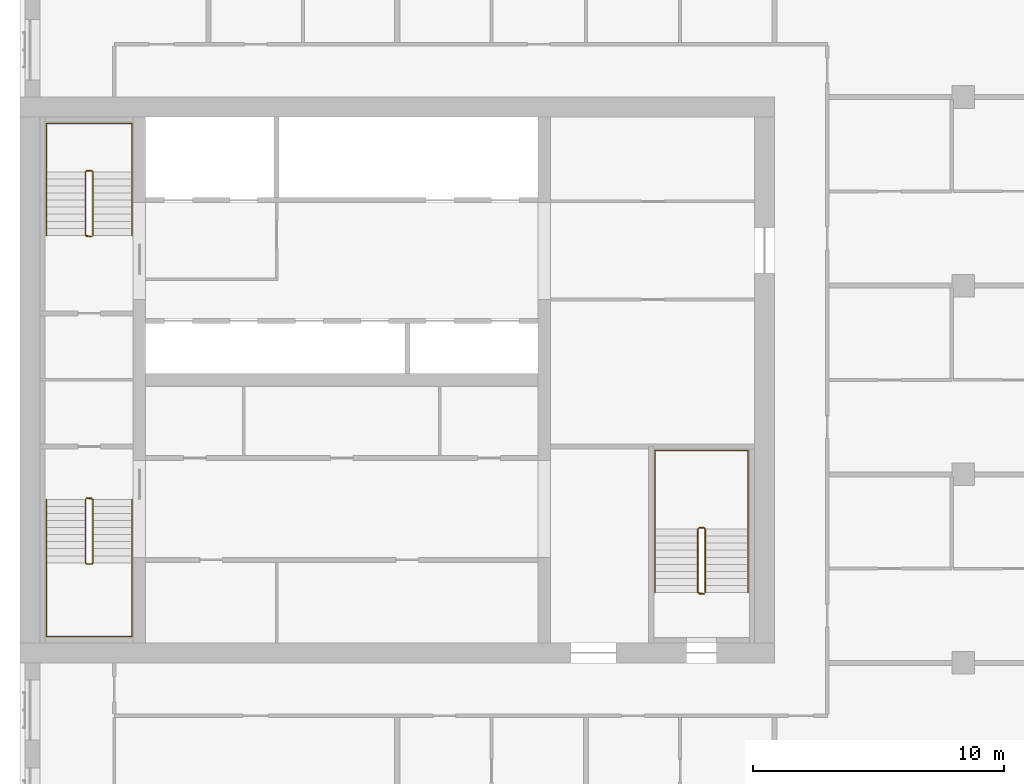
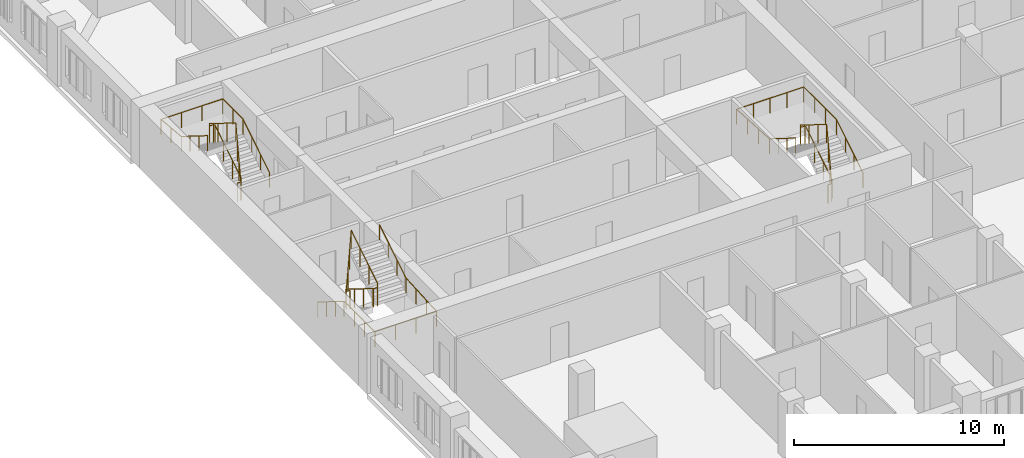
# One storey, part 14 of 14: 6 railings.
"""IFC4 building model written with IfcOpenShell, lengths in metres."""

from ifc_helpers import new_model, si_unit, direction, frame, origin, origin_2d, place, context, subcontext, project, spatial, circle, extrude, material, type_object, element, save


model = new_model("IFC4")

# Units and contexts
model_context = context("Model", 3, precision=1e-05, world=origin(), true_north=direction((0.0, 1.0)))
body_context = subcontext(model_context, "Body", "Model", "MODEL_VIEW")
ifc_project = project(units=[si_unit("LENGTHUNIT", "METRE"), si_unit("AREAUNIT", "SQUARE_METRE"), si_unit("VOLUMEUNIT", "CUBIC_METRE"), si_unit("PLANEANGLEUNIT", "RADIAN"), si_unit("MASSUNIT", "GRAM", prefix="KILO")], contexts=[model_context])

# Site, building, storey
site_placement = place(None, origin())
site = spatial("IfcSite", under=ifc_project, at=site_placement, CompositionType="ELEMENT")
building_placement = place(site_placement, origin())
building = spatial("IfcBuilding", under=site, at=building_placement, Name="Tamorin Gate", CompositionType="ELEMENT")
storey_placement = place(building_placement, frame((0.0, 0.0, 189.699951171875)))
storey = spatial("IfcBuildingStorey", under=building, at=storey_placement, Name="L46", CompositionType="ELEMENT", Elevation=189.699951171875)

# Railings
ifc_material_1 = material(Name="Painted steel balustrade", Category="steel")
railing_type_1 = type_object("IfcRailingType", Name="Stair guard 1100", PredefinedType="GUARDRAIL", material=ifc_material_1)
railing_1_placement = place(storey_placement, frame((32.60009765625, 66.5, 0.175048828125)))
element("IfcRailing", 1, at=railing_1_placement, inside=storey, type_object=railing_type_1, Name="L46 ST1 stair guard 1", PredefinedType="GUARDRAIL", context=body_context, shape_type="SweptSolid", body=[
    extrude(circle(Radius=0.02392578125, at=origin_2d()), frame((0.0, 0.0, 1.076171875), z_axis=(0.0, -0.848007534815, 0.529984170421), x_axis=(1.0, 0.0, 0.0)), (0.0, 0.0, 1.0), 2.9716796875),
    extrude(circle(Radius=0.02392578125, at=origin_2d()), frame((0.0, -2.52001953125, 2.65087890625), z_axis=(0.705375805398, -0.708833529934, 0.0), x_axis=(0.708833529934, 0.705375805398, 0.0)), (0.0, 0.0, 1.0), 0.070556640625),
    extrude(circle(Radius=0.02392578125, at=origin_2d()), frame((0.0498046875, -2.570068359375, 2.65087890625), z_axis=(1.0, 0.0, 0.0), x_axis=(0.0, 1.0, 0.0)), (0.0, 0.0, 1.0), 0.2001953125),
    extrude(circle(Radius=0.02392578125, at=origin_2d()), frame((0.25, -2.570068359375, 2.65087890625), z_axis=(0.263862480399, 0.265155923931, 0.927399011991), x_axis=(-0.708833529934, 0.705375805398, 0.0)), (0.0, 0.0, 1.0), 0.188720703125),
    extrude(circle(Radius=0.02392578125, at=origin_2d()), frame((0.2998046875, -2.52001953125, 2.826171875), z_axis=(0.0, 0.848007534815, 0.529984170421), x_axis=(-1.0, 0.0, 0.0)), (0.0, 0.0, 1.0), 2.9716796875),
    extrude(circle(Radius=0.02392578125, at=origin_2d()), frame((0.2998046875, 0.0, 4.40087890625), z_axis=(-0.071239803756, 0.014261874775, -0.997357252587), x_axis=(-0.196300278283, -0.98054382908, 0.0)), (0.0, 0.0, 1.0), 3.50927734375),
    extrude(circle(Radius=0.02392578125, at=origin_2d()), frame((0.0498046875, 0.050048828125, 0.90087890625), z_axis=(1.0, 0.0, 0.0), x_axis=(0.0, 1.0, 0.0)), (0.0, 0.0, 1.0), 0.2001953125),
    extrude(circle(Radius=0.02099609375, at=origin_2d()), origin(), (0.0, 0.0, 1.0), 1.052001953125),
    extrude(circle(Radius=0.02099609375, at=origin_2d()), frame((0.0, -0.840087890625, 0.52490234375)), (0.0, 0.0, 1.0), 1.052001953125),
    extrude(circle(Radius=0.02099609375, at=origin_2d()), frame((0.0, -1.679931640625, 1.050048828125)), (0.0, 0.0, 1.0), 1.052001953125),
    extrude(circle(Radius=0.02099609375, at=origin_2d()), frame((0.0, -2.52001953125, 1.574951171875)), (0.0, 0.0, 1.0), 1.052001953125),
    extrude(circle(Radius=0.02099609375, at=origin_2d()), frame((0.0498046875, -2.570068359375, 1.574951171875)), (0.0, 0.0, 1.0), 1.052001953125),
    extrude(circle(Radius=0.02099609375, at=origin_2d()), frame((0.25, -2.570068359375, 1.574951171875)), (0.0, 0.0, 1.0), 1.052001953125),
    extrude(circle(Radius=0.02099609375, at=origin_2d()), frame((0.2998046875, -2.52001953125, 1.75)), (0.0, 0.0, 1.0), 1.052001953125),
    extrude(circle(Radius=0.02099609375, at=origin_2d()), frame((0.2998046875, -1.679931640625, 2.27490234375)), (0.0, 0.0, 1.0), 1.052001953125),
    extrude(circle(Radius=0.02099609375, at=origin_2d()), frame((0.2998046875, -0.840087890625, 2.800048828125)), (0.0, 0.0, 1.0), 1.052001953125),
    extrude(circle(Radius=0.02099609375, at=origin_2d()), frame((0.2998046875, 0.0, 3.324951171875)), (0.0, 0.0, 1.0), 1.052001953125),
    extrude(circle(Radius=0.02099609375, at=origin_2d()), frame((0.216552734375, 0.0166015625, 2.158203125)), (0.0, 0.0, 1.0), 1.052001953125),
    extrude(circle(Radius=0.02099609375, at=origin_2d()), frame((0.133056640625, 0.033447265625, 0.99169921875)), (0.0, 0.0, 1.0), 1.052001953125),
    extrude(circle(Radius=0.02099609375, at=origin_2d()), frame((0.0498046875, 0.050048828125, -0.175048828125)), (0.0, 0.0, 1.0), 1.052001953125),
    extrude(circle(Radius=0.02099609375, at=origin_2d()), frame((0.25, 0.050048828125, -0.175048828125)), (0.0, 0.0, 1.0), 1.052001953125),
])
railing_2_placement = place(storey_placement, frame((32.89990234375, 77.0, 0.175048828125)))
element("IfcRailing", 2, at=railing_2_placement, inside=storey, type_object=railing_type_1, Name="L46 ST2 stair guard 1", PredefinedType="GUARDRAIL", context=body_context, shape_type="SweptSolid", body=[
    extrude(circle(Radius=0.02392578125, at=origin_2d()), frame((0.0, 0.0, 1.076171875), z_axis=(0.0, 0.848007534815, 0.529984170421), x_axis=(-1.0, 0.0, 0.0)), (0.0, 0.0, 1.0), 2.9716796875),
    extrude(circle(Radius=0.02392578125, at=origin_2d()), frame((0.0, 2.52001953125, 2.65087890625), z_axis=(-0.705375805398, 0.708833529934, 0.0), x_axis=(-0.708833529934, -0.705375805398, 0.0)), (0.0, 0.0, 1.0), 0.070556640625),
    extrude(circle(Radius=0.02392578125, at=origin_2d()), frame((-0.0498046875, 2.570068359375, 2.65087890625), z_axis=(-1.0, 0.0, 0.0), x_axis=(0.0, -1.0, 0.0)), (0.0, 0.0, 1.0), 0.2001953125),
    extrude(circle(Radius=0.02392578125, at=origin_2d()), frame((-0.25, 2.570068359375, 2.65087890625), z_axis=(-0.263862480399, -0.265155923931, 0.927399011991), x_axis=(0.708833529934, -0.705375805398, 0.0)), (0.0, 0.0, 1.0), 0.188720703125),
    extrude(circle(Radius=0.02392578125, at=origin_2d()), frame((-0.2998046875, 2.52001953125, 2.826171875), z_axis=(0.0, -0.848007534815, 0.529984170421), x_axis=(1.0, 0.0, 0.0)), (0.0, 0.0, 1.0), 2.9716796875),
    extrude(circle(Radius=0.02392578125, at=origin_2d()), frame((-0.2998046875, 0.0, 4.40087890625), z_axis=(0.071239803756, -0.014261874775, -0.997357252587), x_axis=(0.196300278283, 0.98054382908, 0.0)), (0.0, 0.0, 1.0), 3.50927734375),
    extrude(circle(Radius=0.02392578125, at=origin_2d()), frame((-0.0498046875, -0.050048828125, 0.90087890625), z_axis=(-1.0, 0.0, 0.0), x_axis=(0.0, -1.0, 0.0)), (0.0, 0.0, 1.0), 0.2001953125),
    extrude(circle(Radius=0.02099609375, at=origin_2d()), origin(), (0.0, 0.0, 1.0), 1.052001953125),
    extrude(circle(Radius=0.02099609375, at=origin_2d()), frame((0.0, 0.840087890625, 0.52490234375)), (0.0, 0.0, 1.0), 1.052001953125),
    extrude(circle(Radius=0.02099609375, at=origin_2d()), frame((0.0, 1.679931640625, 1.050048828125)), (0.0, 0.0, 1.0), 1.052001953125),
    extrude(circle(Radius=0.02099609375, at=origin_2d()), frame((0.0, 2.52001953125, 1.574951171875)), (0.0, 0.0, 1.0), 1.052001953125),
    extrude(circle(Radius=0.02099609375, at=origin_2d()), frame((-0.0498046875, 2.570068359375, 1.574951171875)), (0.0, 0.0, 1.0), 1.052001953125),
    extrude(circle(Radius=0.02099609375, at=origin_2d()), frame((-0.25, 2.570068359375, 1.574951171875)), (0.0, 0.0, 1.0), 1.052001953125),
    extrude(circle(Radius=0.02099609375, at=origin_2d()), frame((-0.2998046875, 2.52001953125, 1.75)), (0.0, 0.0, 1.0), 1.052001953125),
    extrude(circle(Radius=0.02099609375, at=origin_2d()), frame((-0.2998046875, 1.679931640625, 2.27490234375)), (0.0, 0.0, 1.0), 1.052001953125),
    extrude(circle(Radius=0.02099609375, at=origin_2d()), frame((-0.2998046875, 0.840087890625, 2.800048828125)), (0.0, 0.0, 1.0), 1.052001953125),
    extrude(circle(Radius=0.02099609375, at=origin_2d()), frame((-0.2998046875, 0.0, 3.324951171875)), (0.0, 0.0, 1.0), 1.052001953125),
    extrude(circle(Radius=0.02099609375, at=origin_2d()), frame((-0.216552734375, -0.0166015625, 2.158203125)), (0.0, 0.0, 1.0), 1.052001953125),
    extrude(circle(Radius=0.02099609375, at=origin_2d()), frame((-0.133056640625, -0.033447265625, 0.99169921875)), (0.0, 0.0, 1.0), 1.052001953125),
    extrude(circle(Radius=0.02099609375, at=origin_2d()), frame((-0.0498046875, -0.050048828125, -0.175048828125)), (0.0, 0.0, 1.0), 1.052001953125),
    extrude(circle(Radius=0.02099609375, at=origin_2d()), frame((-0.25, -0.050048828125, -0.175048828125)), (0.0, 0.0, 1.0), 1.052001953125),
])
railing_3_placement = place(storey_placement, frame((57.25, 62.800048828125, 0.175048828125)))
element("IfcRailing", 3, at=railing_3_placement, inside=storey, type_object=railing_type_1, Name="L46 ST3 stair guard 1", PredefinedType="GUARDRAIL", context=body_context, shape_type="SweptSolid", body=[
    extrude(circle(Radius=0.02392578125, at=origin_2d()), frame((0.0, 0.0, 1.076171875), z_axis=(0.0, 0.848007534815, 0.529984170421), x_axis=(-1.0, 0.0, 0.0)), (0.0, 0.0, 1.0), 2.9716796875),
    extrude(circle(Radius=0.02392578125, at=origin_2d()), frame((0.0, 2.52001953125, 2.65087890625), z_axis=(-0.707106781187, 0.707106781187, 0.0), x_axis=(-0.707106781187, -0.707106781187, 0.0)), (0.0, 0.0, 1.0), 0.07080078125),
    extrude(circle(Radius=0.02392578125, at=origin_2d()), frame((-0.050048828125, 2.570068359375, 2.65087890625), z_axis=(-1.0, 0.0, 0.0), x_axis=(0.0, -1.0, 0.0)), (0.0, 0.0, 1.0), 0.199951171875),
    extrude(circle(Radius=0.02392578125, at=origin_2d()), frame((-0.25, 2.570068359375, 2.65087890625), z_axis=(-0.265065253269, -0.265065253269, 0.927081885822), x_axis=(0.707106781187, -0.707106781187, 0.0)), (0.0, 0.0, 1.0), 0.188720703125),
    extrude(circle(Radius=0.02392578125, at=origin_2d()), frame((-0.300048828125, 2.52001953125, 2.826171875), z_axis=(0.0, -0.848007534815, 0.529984170421), x_axis=(1.0, 0.0, 0.0)), (0.0, 0.0, 1.0), 2.9716796875),
    extrude(circle(Radius=0.02392578125, at=origin_2d()), frame((-0.300048828125, 0.0, 4.40087890625), z_axis=(0.071239803756, -0.014261874775, -0.997357252587), x_axis=(0.196300278283, 0.98054382908, 0.0)), (0.0, 0.0, 1.0), 3.50927734375),
    extrude(circle(Radius=0.02392578125, at=origin_2d()), frame((-0.050048828125, -0.050048828125, 0.90087890625), z_axis=(-1.0, 0.0, 0.0), x_axis=(0.0, -1.0, 0.0)), (0.0, 0.0, 1.0), 0.199951171875),
    extrude(circle(Radius=0.02099609375, at=origin_2d()), origin(), (0.0, 0.0, 1.0), 1.052001953125),
    extrude(circle(Radius=0.02099609375, at=origin_2d()), frame((0.0, 0.840087890625, 0.52490234375)), (0.0, 0.0, 1.0), 1.052001953125),
    extrude(circle(Radius=0.02099609375, at=origin_2d()), frame((0.0, 1.679931640625, 1.050048828125)), (0.0, 0.0, 1.0), 1.052001953125),
    extrude(circle(Radius=0.02099609375, at=origin_2d()), frame((0.0, 2.52001953125, 1.574951171875)), (0.0, 0.0, 1.0), 1.052001953125),
    extrude(circle(Radius=0.02099609375, at=origin_2d()), frame((-0.050048828125, 2.570068359375, 1.574951171875)), (0.0, 0.0, 1.0), 1.052001953125),
    extrude(circle(Radius=0.02099609375, at=origin_2d()), frame((-0.25, 2.570068359375, 1.574951171875)), (0.0, 0.0, 1.0), 1.052001953125),
    extrude(circle(Radius=0.02099609375, at=origin_2d()), frame((-0.300048828125, 2.52001953125, 1.75)), (0.0, 0.0, 1.0), 1.052001953125),
    extrude(circle(Radius=0.02099609375, at=origin_2d()), frame((-0.300048828125, 1.679931640625, 2.27490234375)), (0.0, 0.0, 1.0), 1.052001953125),
    extrude(circle(Radius=0.02099609375, at=origin_2d()), frame((-0.300048828125, 0.840087890625, 2.800048828125)), (0.0, 0.0, 1.0), 1.052001953125),
    extrude(circle(Radius=0.02099609375, at=origin_2d()), frame((-0.300048828125, 0.0, 3.324951171875)), (0.0, 0.0, 1.0), 1.052001953125),
    extrude(circle(Radius=0.02099609375, at=origin_2d()), frame((-0.216796875, -0.0166015625, 2.158203125)), (0.0, 0.0, 1.0), 1.052001953125),
    extrude(circle(Radius=0.02099609375, at=origin_2d()), frame((-0.13330078125, -0.033447265625, 0.99169921875)), (0.0, 0.0, 1.0), 1.052001953125),
    extrude(circle(Radius=0.02099609375, at=origin_2d()), frame((-0.050048828125, -0.050048828125, -0.175048828125)), (0.0, 0.0, 1.0), 1.052001953125),
    extrude(circle(Radius=0.02099609375, at=origin_2d()), frame((-0.25, -0.050048828125, -0.175048828125)), (0.0, 0.0, 1.0), 1.052001953125),
])
ifc_material_2 = material(Name="Painted steel handrail", Category="steel")
railing_type_2 = type_object("IfcRailingType", Name="Stair handrail 900", PredefinedType="HANDRAIL", material=ifc_material_2)
railing_4_placement = place(storey_placement, frame((31.050048828125, 66.5, 0.175048828125)))
element("IfcRailing", 4, at=railing_4_placement, inside=storey, type_object=railing_type_2, Name="L46 ST1 stair handrail 1", PredefinedType="HANDRAIL", context=body_context, shape_type="SweptSolid", body=[
    extrude(circle(Radius=0.02392578125, at=origin_2d()), frame((0.0, 0.0, 0.8759765625), z_axis=(0.0, -0.848007534815, 0.529984170421), x_axis=(1.0, 0.0, 0.0)), (0.0, 0.0, 1.0), 2.9716796875),
    extrude(circle(Radius=0.02392578125, at=origin_2d()), frame((0.0, -2.52001953125, 2.45068359375), z_axis=(0.0, -1.0, 0.0), x_axis=(1.0, 0.0, 0.0)), (0.0, 0.0, 1.0), 2.929931640625),
    extrude(circle(Radius=0.02392578125, at=origin_2d()), frame((0.0, -5.449951171875, 2.45068359375), z_axis=(1.0, 0.0, 0.0), x_axis=(0.0, 1.0, 0.0)), (0.0, 0.0, 1.0), 3.39990234375),
    extrude(circle(Radius=0.02392578125, at=origin_2d()), frame((3.39990234375, -5.449951171875, 2.45068359375), z_axis=(0.0, 0.998220029962, 0.0596386769), x_axis=(-1.0, 0.0, 0.0)), (0.0, 0.0, 1.0), 2.93505859375),
    extrude(circle(Radius=0.02392578125, at=origin_2d()), frame((3.39990234375, -2.52001953125, 2.6259765625), z_axis=(0.0, 0.848007534815, 0.529984170421), x_axis=(-1.0, 0.0, 0.0)), (0.0, 0.0, 1.0), 2.9716796875),
    extrude(circle(Radius=0.02099609375, at=origin_2d()), origin(), (0.0, 0.0, 1.0), 0.851806640625),
    extrude(circle(Radius=0.02099609375, at=origin_2d()), frame((0.0, -0.840087890625, 0.52490234375)), (0.0, 0.0, 1.0), 0.851806640625),
    extrude(circle(Radius=0.02099609375, at=origin_2d()), frame((0.0, -1.679931640625, 1.050048828125)), (0.0, 0.0, 1.0), 0.851806640625),
    extrude(circle(Radius=0.02099609375, at=origin_2d()), frame((0.0, -2.52001953125, 1.574951171875)), (0.0, 0.0, 1.0), 0.851806640625),
    extrude(circle(Radius=0.02099609375, at=origin_2d()), frame((0.0, -3.49658203125, 1.574951171875)), (0.0, 0.0, 1.0), 0.851806640625),
    extrude(circle(Radius=0.02099609375, at=origin_2d()), frame((0.0, -4.473388671875, 1.574951171875)), (0.0, 0.0, 1.0), 0.851806640625),
    extrude(circle(Radius=0.02099609375, at=origin_2d()), frame((0.0, -5.449951171875, 1.574951171875)), (0.0, 0.0, 1.0), 0.851806640625),
    extrude(circle(Radius=0.02099609375, at=origin_2d()), frame((1.13330078125, -5.449951171875, 1.574951171875)), (0.0, 0.0, 1.0), 0.851806640625),
    extrude(circle(Radius=0.02099609375, at=origin_2d()), frame((2.2666015625, -5.449951171875, 1.574951171875)), (0.0, 0.0, 1.0), 0.851806640625),
    extrude(circle(Radius=0.02099609375, at=origin_2d()), frame((3.39990234375, -5.449951171875, 1.574951171875)), (0.0, 0.0, 1.0), 0.851806640625),
    extrude(circle(Radius=0.02099609375, at=origin_2d()), frame((3.39990234375, -4.473388671875, 1.63330078125)), (0.0, 0.0, 1.0), 0.851806640625),
    extrude(circle(Radius=0.02099609375, at=origin_2d()), frame((3.39990234375, -3.49658203125, 1.691650390625)), (0.0, 0.0, 1.0), 0.851806640625),
    extrude(circle(Radius=0.02099609375, at=origin_2d()), frame((3.39990234375, -2.52001953125, 1.75)), (0.0, 0.0, 1.0), 0.851806640625),
    extrude(circle(Radius=0.02099609375, at=origin_2d()), frame((3.39990234375, -1.679931640625, 2.27490234375)), (0.0, 0.0, 1.0), 0.851806640625),
    extrude(circle(Radius=0.02099609375, at=origin_2d()), frame((3.39990234375, -0.840087890625, 2.800048828125)), (0.0, 0.0, 1.0), 0.851806640625),
    extrude(circle(Radius=0.02099609375, at=origin_2d()), frame((3.39990234375, 0.0, 3.324951171875)), (0.0, 0.0, 1.0), 0.851806640625),
])
railing_5_placement = place(storey_placement, frame((34.449951171875, 77.0, 0.175048828125)))
element("IfcRailing", 5, at=railing_5_placement, inside=storey, type_object=railing_type_2, Name="L46 ST2 stair handrail 1", PredefinedType="HANDRAIL", context=body_context, shape_type="SweptSolid", body=[
    extrude(circle(Radius=0.02392578125, at=origin_2d()), frame((0.0, 0.0, 0.8759765625), z_axis=(0.0, 0.848007534815, 0.529984170421), x_axis=(-1.0, 0.0, 0.0)), (0.0, 0.0, 1.0), 2.9716796875),
    extrude(circle(Radius=0.02392578125, at=origin_2d()), frame((0.0, 2.52001953125, 2.45068359375), z_axis=(0.0, 1.0, 0.0), x_axis=(-1.0, 0.0, 0.0)), (0.0, 0.0, 1.0), 1.929931640625),
    extrude(circle(Radius=0.02392578125, at=origin_2d()), frame((0.0, 4.449951171875, 2.45068359375), z_axis=(-1.0, 0.0, 0.0), x_axis=(0.0, -1.0, 0.0)), (0.0, 0.0, 1.0), 3.39990234375),
    extrude(circle(Radius=0.02392578125, at=origin_2d()), frame((-3.39990234375, 4.449951171875, 2.45068359375), z_axis=(0.0, -0.995911773435, 0.090331276604), x_axis=(1.0, 0.0, 0.0)), (0.0, 0.0, 1.0), 1.937744140625),
    extrude(circle(Radius=0.02392578125, at=origin_2d()), frame((-3.39990234375, 2.52001953125, 2.6259765625), z_axis=(0.0, -0.848007534815, 0.529984170421), x_axis=(1.0, 0.0, 0.0)), (0.0, 0.0, 1.0), 2.9716796875),
    extrude(circle(Radius=0.02099609375, at=origin_2d()), origin(), (0.0, 0.0, 1.0), 0.851806640625),
    extrude(circle(Radius=0.02099609375, at=origin_2d()), frame((0.0, 0.840087890625, 0.52490234375)), (0.0, 0.0, 1.0), 0.851806640625),
    extrude(circle(Radius=0.02099609375, at=origin_2d()), frame((0.0, 1.679931640625, 1.050048828125)), (0.0, 0.0, 1.0), 0.851806640625),
    extrude(circle(Radius=0.02099609375, at=origin_2d()), frame((0.0, 2.52001953125, 1.574951171875)), (0.0, 0.0, 1.0), 0.851806640625),
    extrude(circle(Radius=0.02099609375, at=origin_2d()), frame((0.0, 3.48486328125, 1.574951171875)), (0.0, 0.0, 1.0), 0.851806640625),
    extrude(circle(Radius=0.02099609375, at=origin_2d()), frame((0.0, 4.449951171875, 1.574951171875)), (0.0, 0.0, 1.0), 0.851806640625),
    extrude(circle(Radius=0.02099609375, at=origin_2d()), frame((-1.13330078125, 4.449951171875, 1.574951171875)), (0.0, 0.0, 1.0), 0.851806640625),
    extrude(circle(Radius=0.02099609375, at=origin_2d()), frame((-2.2666015625, 4.449951171875, 1.574951171875)), (0.0, 0.0, 1.0), 0.851806640625),
    extrude(circle(Radius=0.02099609375, at=origin_2d()), frame((-3.39990234375, 4.449951171875, 1.574951171875)), (0.0, 0.0, 1.0), 0.851806640625),
    extrude(circle(Radius=0.02099609375, at=origin_2d()), frame((-3.39990234375, 3.48486328125, 1.66259765625)), (0.0, 0.0, 1.0), 0.851806640625),
    extrude(circle(Radius=0.02099609375, at=origin_2d()), frame((-3.39990234375, 2.52001953125, 1.75)), (0.0, 0.0, 1.0), 0.851806640625),
    extrude(circle(Radius=0.02099609375, at=origin_2d()), frame((-3.39990234375, 1.679931640625, 2.27490234375)), (0.0, 0.0, 1.0), 0.851806640625),
    extrude(circle(Radius=0.02099609375, at=origin_2d()), frame((-3.39990234375, 0.840087890625, 2.800048828125)), (0.0, 0.0, 1.0), 0.851806640625),
    extrude(circle(Radius=0.02099609375, at=origin_2d()), frame((-3.39990234375, 0.0, 3.324951171875)), (0.0, 0.0, 1.0), 0.851806640625),
])
railing_6_placement = place(storey_placement, frame((58.949951171875, 62.800048828125, 0.175048828125)))
element("IfcRailing", 6, at=railing_6_placement, inside=storey, type_object=railing_type_2, Name="L46 ST3 stair handrail 1", PredefinedType="HANDRAIL", context=body_context, shape_type="SweptSolid", body=[
    extrude(circle(Radius=0.02392578125, at=origin_2d()), frame((0.0, 0.0, 0.8759765625), z_axis=(0.0, 0.848007534815, 0.529984170421), x_axis=(-1.0, 0.0, 0.0)), (0.0, 0.0, 1.0), 2.9716796875),
    extrude(circle(Radius=0.02392578125, at=origin_2d()), frame((0.0, 2.52001953125, 2.45068359375), z_axis=(0.0, 1.0, 0.0), x_axis=(-1.0, 0.0, 0.0)), (0.0, 0.0, 1.0), 3.1298828125),
    extrude(circle(Radius=0.02392578125, at=origin_2d()), frame((0.0, 5.64990234375, 2.45068359375), z_axis=(-1.0, 0.0, 0.0), x_axis=(0.0, -1.0, 0.0)), (0.0, 0.0, 1.0), 3.699951171875),
    extrude(circle(Radius=0.02392578125, at=origin_2d()), frame((-3.699951171875, 5.64990234375, 2.45068359375), z_axis=(0.0, -0.998439675676, 0.055840970941), x_axis=(1.0, 0.0, 0.0)), (0.0, 0.0, 1.0), 3.134765625),
    extrude(circle(Radius=0.02392578125, at=origin_2d()), frame((-3.699951171875, 2.52001953125, 2.6259765625), z_axis=(0.0, -0.848007534815, 0.529984170421), x_axis=(1.0, 0.0, 0.0)), (0.0, 0.0, 1.0), 2.9716796875),
    extrude(circle(Radius=0.02099609375, at=origin_2d()), origin(), (0.0, 0.0, 1.0), 0.851806640625),
    extrude(circle(Radius=0.02099609375, at=origin_2d()), frame((0.0, 0.840087890625, 0.52490234375)), (0.0, 0.0, 1.0), 0.851806640625),
    extrude(circle(Radius=0.02099609375, at=origin_2d()), frame((0.0, 1.679931640625, 1.050048828125)), (0.0, 0.0, 1.0), 0.851806640625),
    extrude(circle(Radius=0.02099609375, at=origin_2d()), frame((0.0, 2.52001953125, 1.574951171875)), (0.0, 0.0, 1.0), 0.851806640625),
    extrude(circle(Radius=0.02099609375, at=origin_2d()), frame((0.0, 3.563232421875, 1.574951171875)), (0.0, 0.0, 1.0), 0.851806640625),
    extrude(circle(Radius=0.02099609375, at=origin_2d()), frame((0.0, 4.606689453125, 1.574951171875)), (0.0, 0.0, 1.0), 0.851806640625),
    extrude(circle(Radius=0.02099609375, at=origin_2d()), frame((0.0, 5.64990234375, 1.574951171875)), (0.0, 0.0, 1.0), 0.851806640625),
    extrude(circle(Radius=0.02099609375, at=origin_2d()), frame((-0.925048828125, 5.64990234375, 1.574951171875)), (0.0, 0.0, 1.0), 0.851806640625),
    extrude(circle(Radius=0.02099609375, at=origin_2d()), frame((-1.85009765625, 5.64990234375, 1.574951171875)), (0.0, 0.0, 1.0), 0.851806640625),
    extrude(circle(Radius=0.02099609375, at=origin_2d()), frame((-2.77490234375, 5.64990234375, 1.574951171875)), (0.0, 0.0, 1.0), 0.851806640625),
    extrude(circle(Radius=0.02099609375, at=origin_2d()), frame((-3.699951171875, 5.64990234375, 1.574951171875)), (0.0, 0.0, 1.0), 0.851806640625),
    extrude(circle(Radius=0.02099609375, at=origin_2d()), frame((-3.699951171875, 4.606689453125, 1.63330078125)), (0.0, 0.0, 1.0), 0.851806640625),
    extrude(circle(Radius=0.02099609375, at=origin_2d()), frame((-3.699951171875, 3.563232421875, 1.691650390625)), (0.0, 0.0, 1.0), 0.851806640625),
    extrude(circle(Radius=0.02099609375, at=origin_2d()), frame((-3.699951171875, 2.52001953125, 1.75)), (0.0, 0.0, 1.0), 0.851806640625),
    extrude(circle(Radius=0.02099609375, at=origin_2d()), frame((-3.699951171875, 1.679931640625, 2.27490234375)), (0.0, 0.0, 1.0), 0.851806640625),
    extrude(circle(Radius=0.02099609375, at=origin_2d()), frame((-3.699951171875, 0.840087890625, 2.800048828125)), (0.0, 0.0, 1.0), 0.851806640625),
    extrude(circle(Radius=0.02099609375, at=origin_2d()), frame((-3.699951171875, 0.0, 3.324951171875)), (0.0, 0.0, 1.0), 0.851806640625),
])

save(model, "model.ifc")
